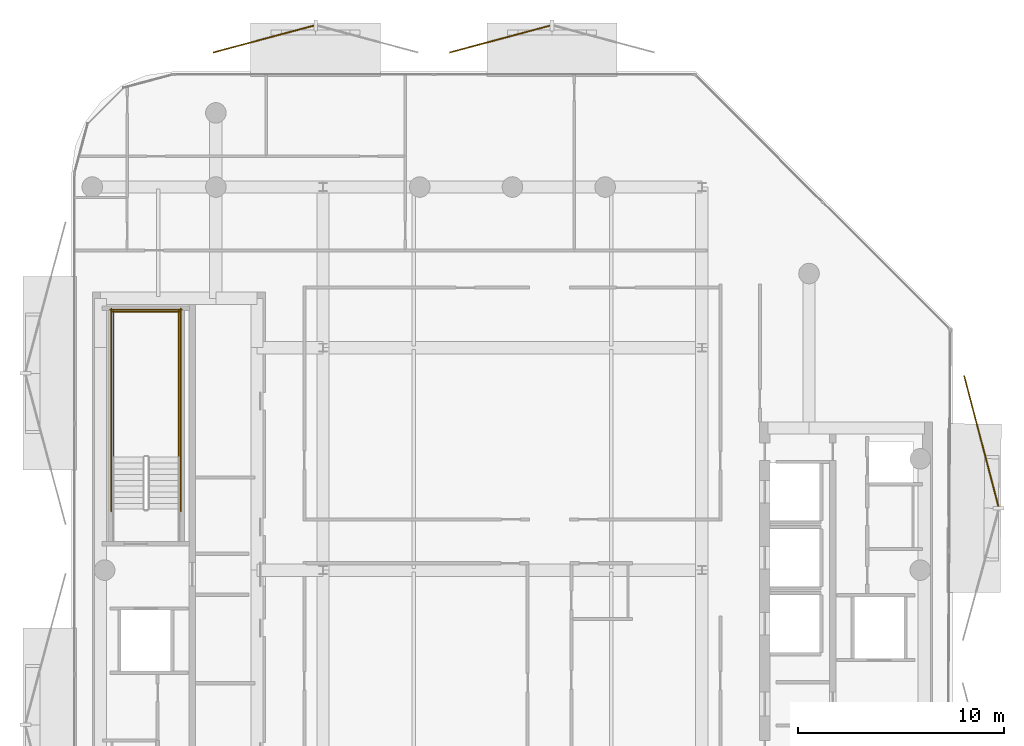
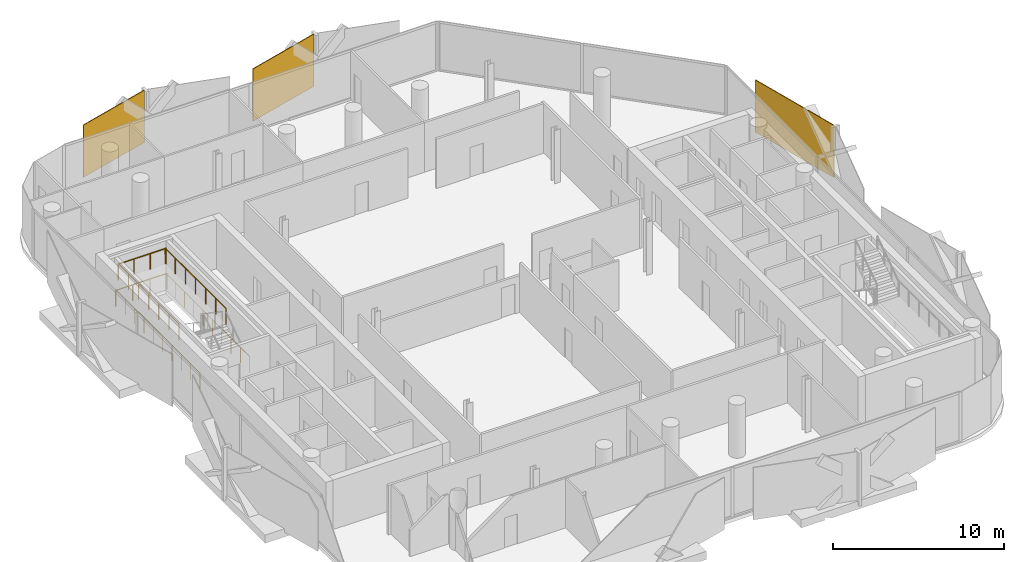
# One storey, part 16 of 16: 6 railings, 3 coverings.
"""IFC4 building model written with IfcOpenShell, lengths in metres."""

from ifc_helpers import new_model, si_unit, direction, frame, origin, origin_2d, place, context, subcontext, project, spatial, rectangle, circle, extrude, material, layer, layer_set, type_object, element, save


model = new_model("IFC4")

# Units and contexts
model_context = context("Model", 3, precision=1e-05, world=origin(), true_north=direction((0.0, 1.0)))
body_context = subcontext(model_context, "Body", "Model", "MODEL_VIEW")
ifc_project = project(units=[si_unit("LENGTHUNIT", "METRE"), si_unit("AREAUNIT", "SQUARE_METRE"), si_unit("VOLUMEUNIT", "CUBIC_METRE"), si_unit("PLANEANGLEUNIT", "RADIAN"), si_unit("MASSUNIT", "GRAM", prefix="KILO")], contexts=[model_context])

# Site, building, storey
site_placement = place(None, origin())
site = spatial("IfcSite", under=ifc_project, at=site_placement, CompositionType="ELEMENT")
building_placement = place(site_placement, origin())
building = spatial("IfcBuilding", under=site, at=building_placement, Name="Khairoan Windgate Tower", CompositionType="ELEMENT")
storey_placement = place(building_placement, frame((0.0, 0.0, 292.800048828125)))
storey = spatial("IfcBuildingStorey", under=building, at=storey_placement, Name="L70", CompositionType="ELEMENT", Elevation=292.800048828125)

# Coverings
ifc_material_1 = material(Name="Anodised Bronze Aluminium 6063-T6", Category="aluminium")
ifc_layer = layer(ifc_material_1, 0.054931640625, Name="Anodised Bronze Aluminium 6063-T6")
ifc_layer_set = layer_set([ifc_layer], Name="Anodised Bronze Aluminium 6063-T6")
covering_type = type_object("IfcCoveringType", Name="Perforated Bronze-Ceramic Folded Solar Screen Cladding BSC-1", PredefinedType="CLADDING", material=ifc_layer_set)
for number, where, z_axis, x_axis, name in (
    (1, (-12.08154296875, 25.78662109375, -0.10009765625), (0.0, 0.0, 1.0), (0.965925826289, 0.258819045103, 0.0), "L70 Folded Bronze Solar Screen Facet 490L"),
    (2, (-0.605224609375, 25.78662109375, -0.10009765625), (0.0, 0.0, 1.0), (0.965925826289, 0.258819045103, 0.0), "L70 Folded Bronze Solar Screen Facet 491L"),
):
    element("IfcCovering", number, at=place(storey_placement, frame(where, z_axis=z_axis, x_axis=x_axis)), inside=storey, type_object=covering_type, Name=name, PredefinedType="CLADDING", context=body_context, shape_type="SweptSolid", body=[
        extrude(rectangle(XDim=5.050048828125, YDim=0.054931640625, at=origin_2d()), origin(), (0.0, 0.0, 1.0), 3.739990234375),
    ])
covering_placement = place(storey_placement, frame((22.764404296875, 6.26171875, -0.10009765625), z_axis=(0.0, 0.0, 1.0), x_axis=(0.253926760789, -0.967223448927, 0.0)))
element("IfcCovering", 3, at=covering_placement, inside=storey, type_object=covering_type, Name="L70 Folded Bronze Solar Screen Facet 492L", PredefinedType="CLADDING", context=body_context, shape_type="SweptSolid", body=[
    extrude(rectangle(XDim=6.554931640625, YDim=0.054931640625, at=origin_2d()), origin(), (0.0, 0.0, 1.0), 3.739990234375),
])

# Railings
ifc_material_2 = material(Name="Steel S355", Category="steel")
railing_type = type_object("IfcRailingType", Name="Stairwell Safety Guardrail SGR-1150", PredefinedType="GUARDRAIL", material=ifc_material_2)
for number, where, name in (
    (4, (-16.199951171875, 5.47998046875, 1.89990234375), "L70 ST2 stair guard 3"),
    (5, (-19.3701171875, 5.47998046875, 1.89990234375), "L70 ST2 stair guard 4"),
):
    element("IfcRailing", number, at=place(storey_placement, frame(where)), inside=storey, type_object=railing_type, Name=name, PredefinedType="GUARDRAIL", context=body_context, shape_type="SweptSolid", body=[
        extrude(circle(Radius=0.02392578125, at=origin_2d()), frame((0.0, 0.0, 1.1259765625), z_axis=(0.0, 1.0, 0.0), x_axis=(-1.0, 0.0, 0.0)), (0.0, 0.0, 1.0), 7.1201171875),
        extrude(circle(Radius=0.02099609375, at=origin_2d()), origin(), (0.0, 0.0, 1.0), 1.101806640625),
        extrude(circle(Radius=0.02099609375, at=origin_2d()), frame((0.0, 1.186767578125, 0.0)), (0.0, 0.0, 1.0), 1.101806640625),
        extrude(circle(Radius=0.02099609375, at=origin_2d()), frame((0.0, 2.373291015625, 0.0)), (0.0, 0.0, 1.0), 1.101806640625),
        extrude(circle(Radius=0.02099609375, at=origin_2d()), frame((0.0, 3.56005859375, 0.0)), (0.0, 0.0, 1.0), 1.101806640625),
        extrude(circle(Radius=0.02099609375, at=origin_2d()), frame((0.0, 4.746826171875, 0.0)), (0.0, 0.0, 1.0), 1.101806640625),
        extrude(circle(Radius=0.02099609375, at=origin_2d()), frame((0.0, 5.933349609375, 0.0)), (0.0, 0.0, 1.0), 1.101806640625),
        extrude(circle(Radius=0.02099609375, at=origin_2d()), frame((0.0, 7.1201171875, 0.0)), (0.0, 0.0, 1.0), 1.101806640625),
    ])
railing_1_placement = place(storey_placement, frame((-16.14990234375, 12.550048828125, 1.89990234375)))
element("IfcRailing", 6, at=railing_1_placement, inside=storey, type_object=railing_type, Name="L70 ST2 stair guard 5", PredefinedType="GUARDRAIL", context=body_context, shape_type="SweptSolid", body=[
    extrude(circle(Radius=0.02392578125, at=origin_2d()), frame((0.0, 0.0, 1.1259765625), z_axis=(-1.0, 0.0, 0.0), x_axis=(0.0, -1.0, 0.0)), (0.0, 0.0, 1.0), 3.27001953125),
    extrude(circle(Radius=0.02099609375, at=origin_2d()), origin(), (0.0, 0.0, 1.0), 1.101806640625),
    extrude(circle(Radius=0.02099609375, at=origin_2d()), frame((-1.090087890625, 0.0, 0.0)), (0.0, 0.0, 1.0), 1.101806640625),
    extrude(circle(Radius=0.02099609375, at=origin_2d()), frame((-2.179931640625, 0.0, 0.0)), (0.0, 0.0, 1.0), 1.101806640625),
    extrude(circle(Radius=0.02099609375, at=origin_2d()), frame((-3.27001953125, 0.0, 0.0)), (0.0, 0.0, 1.0), 1.101806640625),
])
for number, where, name in (
    (7, (-16.10009765625, 2.860107421875, 0.0), "L70 ST2 stair guard 10"),
    (8, (-19.469970703125, 2.860107421875, 0.0), "L70 ST2 stair guard 11"),
):
    element("IfcRailing", number, at=place(storey_placement, frame(where)), inside=storey, type_object=railing_type, Name=name, PredefinedType="GUARDRAIL", context=body_context, shape_type="SweptSolid", body=[
        extrude(circle(Radius=0.02392578125, at=origin_2d()), frame((0.0, 0.0, 1.1259765625), z_axis=(0.0, 1.0, 0.0), x_axis=(-1.0, 0.0, 0.0)), (0.0, 0.0, 1.0), 9.83984375),
        extrude(circle(Radius=0.02099609375, at=origin_2d()), origin(), (0.0, 0.0, 1.0), 1.101806640625),
        extrude(circle(Radius=0.02099609375, at=origin_2d()), frame((0.0, 1.09326171875, 0.0)), (0.0, 0.0, 1.0), 1.101806640625),
        extrude(circle(Radius=0.02099609375, at=origin_2d()), frame((0.0, 2.1865234375, 0.0)), (0.0, 0.0, 1.0), 1.101806640625),
        extrude(circle(Radius=0.02099609375, at=origin_2d()), frame((0.0, 3.280029296875, 0.0)), (0.0, 0.0, 1.0), 1.101806640625),
        extrude(circle(Radius=0.02099609375, at=origin_2d()), frame((0.0, 4.373291015625, 0.0)), (0.0, 0.0, 1.0), 1.101806640625),
        extrude(circle(Radius=0.02099609375, at=origin_2d()), frame((0.0, 5.466552734375, 0.0)), (0.0, 0.0, 1.0), 1.101806640625),
        extrude(circle(Radius=0.02099609375, at=origin_2d()), frame((0.0, 6.559814453125, 0.0)), (0.0, 0.0, 1.0), 1.101806640625),
        extrude(circle(Radius=0.02099609375, at=origin_2d()), frame((0.0, 7.6533203125, 0.0)), (0.0, 0.0, 1.0), 1.101806640625),
        extrude(circle(Radius=0.02099609375, at=origin_2d()), frame((0.0, 8.74658203125, 0.0)), (0.0, 0.0, 1.0), 1.101806640625),
        extrude(circle(Radius=0.02099609375, at=origin_2d()), frame((0.0, 9.83984375, 0.0)), (0.0, 0.0, 1.0), 1.101806640625),
    ])
railing_2_placement = place(storey_placement, frame((-16.050048828125, 12.64990234375, 0.0)))
element("IfcRailing", 9, at=railing_2_placement, inside=storey, type_object=railing_type, Name="L70 ST2 stair guard 12", PredefinedType="GUARDRAIL", context=body_context, shape_type="SweptSolid", body=[
    extrude(circle(Radius=0.02392578125, at=origin_2d()), frame((0.0, 0.0, 1.1259765625), z_axis=(-1.0, 0.0, 0.0), x_axis=(0.0, -1.0, 0.0)), (0.0, 0.0, 1.0), 3.469970703125),
    extrude(circle(Radius=0.02099609375, at=origin_2d()), origin(), (0.0, 0.0, 1.0), 1.101806640625),
    extrude(circle(Radius=0.02099609375, at=origin_2d()), frame((-1.15673828125, 0.0, 0.0)), (0.0, 0.0, 1.0), 1.101806640625),
    extrude(circle(Radius=0.02099609375, at=origin_2d()), frame((-2.313232421875, 0.0, 0.0)), (0.0, 0.0, 1.0), 1.101806640625),
    extrude(circle(Radius=0.02099609375, at=origin_2d()), frame((-3.469970703125, 0.0, 0.0)), (0.0, 0.0, 1.0), 1.101806640625),
])

save(model, "model.ifc")
